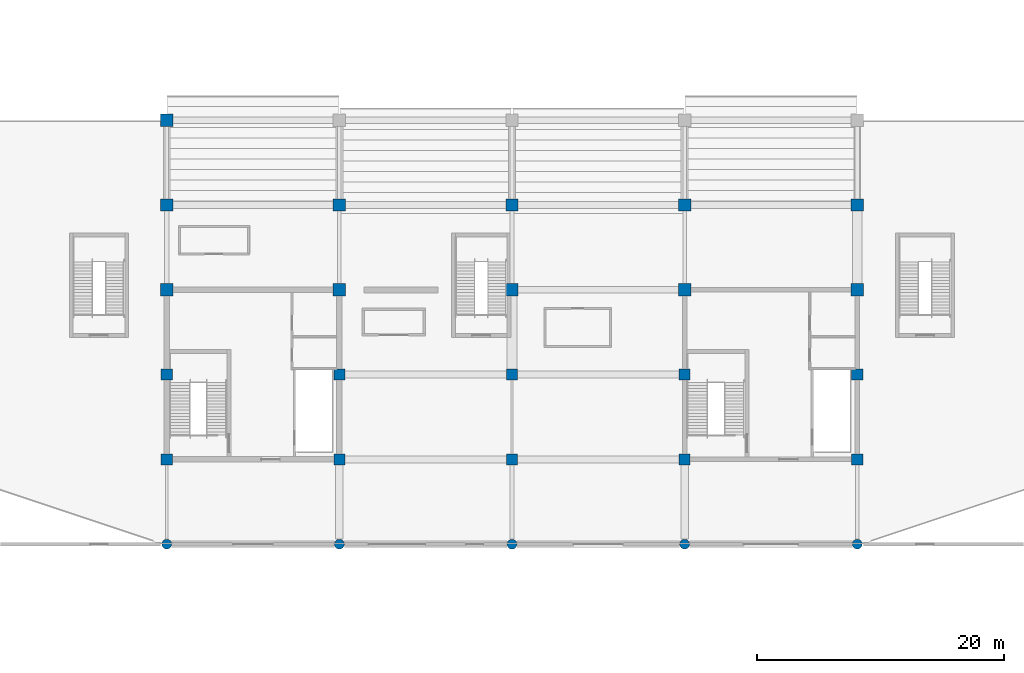
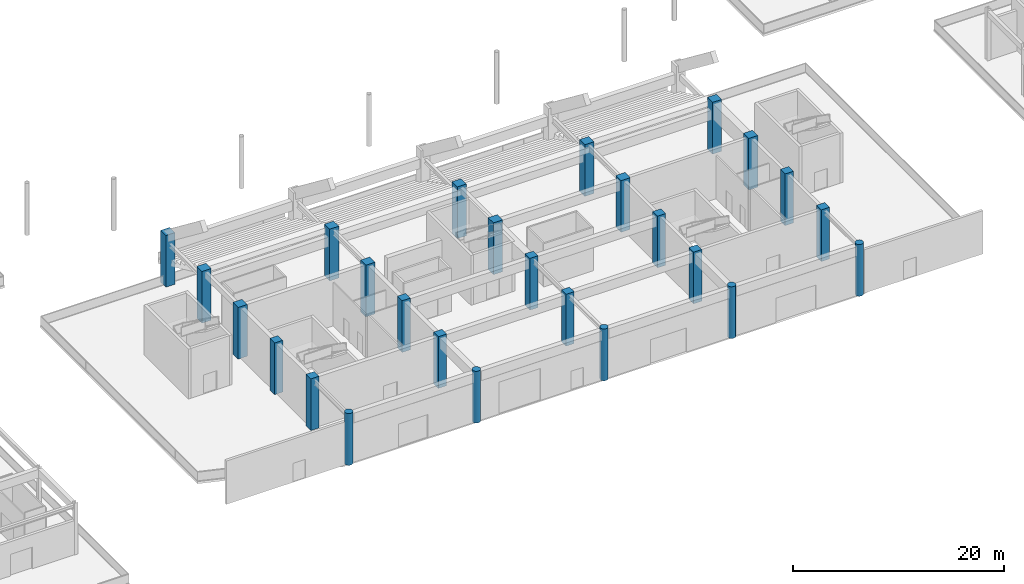
# One storey, part 4 of 73: 26 columns.
"""IFC4 building model written with IfcOpenShell, lengths in metres."""

from ifc_helpers import new_model, si_unit, direction, frame, origin, origin_2d, place, context, subcontext, project, spatial, rectangle, circle, extrude, material, material_profile, profile_set, type_object, element, save


model = new_model("IFC4")

# Units and contexts
model_context = context("Model", 3, precision=1e-05, world=origin(), true_north=direction((0.0, 1.0)))
body_context = subcontext(model_context, "Body", "Model", "MODEL_VIEW")
ifc_project = project(units=[si_unit("LENGTHUNIT", "METRE"), si_unit("AREAUNIT", "SQUARE_METRE"), si_unit("VOLUMEUNIT", "CUBIC_METRE"), si_unit("PLANEANGLEUNIT", "RADIAN"), si_unit("MASSUNIT", "GRAM", prefix="KILO")], contexts=[model_context])

# Site, building, storey
site_placement = place(None, origin())
site = spatial("IfcSite", under=ifc_project, at=site_placement, CompositionType="ELEMENT")
building_placement = place(site_placement, origin())
building = spatial("IfcBuilding", under=site, at=building_placement, Name="Linyun Crest Stadium", CompositionType="ELEMENT")
storey_placement = place(building_placement, origin())
storey = spatial("IfcBuildingStorey", under=building, at=storey_placement, Name="L01", CompositionType="ELEMENT", Elevation=0.0)

# Columns
ifc_material_1 = material(Name="Concrete C50", Category="concrete")
ifc_material_profile_1 = material_profile(ifc_material_1, rectangle(XDim=0.89990234375, YDim=0.89990234375, at=origin_2d()), Name="RC 900x900")
ifc_profile_set_1 = profile_set([ifc_material_profile_1], Name="Concrete C50")
column_type_1 = type_object("IfcColumnType", Name="C04", PredefinedType="COLUMN", material=ifc_profile_set_1)
for number, where, z_axis, x_axis, name in (
    (1, (-28.0, -87.25, 0.0), (0.0, 0.0, 1.0), (1.0, 0.0, 0.0), "Column C04 L01 678"),
    (2, (-28.0, -80.375, 0.0), (0.0, 0.0, 1.0), (1.0, 0.0, 0.0), "Column C04 L01 683"),
    (3, (-14.0, -87.25, 0.0), (0.0, 0.0, 1.0), (1.0, 0.0, 0.0), "Column C04 L01 702"),
    (4, (-14.0, -80.375, 0.0), (0.0, 0.0, 1.0), (1.0, 0.0, 0.0), "Column C04 L01 707"),
    (5, (0.0, -87.25, 0.0), (0.0, 0.0, 1.0), (1.0, 0.0, 0.0), "Column C04 L01 726"),
    (6, (0.0, -80.375, 0.0), (0.0, 0.0, 1.0), (1.0, 0.0, 0.0), "Column C04 L01 731"),
    (7, (14.0, -87.25, 0.0), (0.0, 0.0, 1.0), (1.0, 0.0, 0.0), "Column C04 L01 750"),
    (8, (14.0, -80.375, 0.0), (0.0, 0.0, 1.0), (1.0, 0.0, 0.0), "Column C04 L01 755"),
    (9, (28.0, -87.25, 0.0), (0.0, 0.0, 1.0), (1.0, 0.0, 0.0), "Column C04 L01 774"),
    (10, (28.0, -80.375, 0.0), (0.0, 0.0, 1.0), (1.0, 0.0, 0.0), "Column C04 L01 779"),
):
    element("IfcColumn", number, at=place(storey_placement, frame(where, z_axis=z_axis, x_axis=x_axis)), inside=storey, type_object=column_type_1, Name=name, PredefinedType="COLUMN", context=body_context, shape_type="SweptSolid", body=[
        extrude(rectangle(XDim=0.89990234375, YDim=0.89990234375, at=origin_2d()), origin(), (0.0, 0.0, 1.0), 5.998046875),
    ])
ifc_material_2 = material(Name="Concrete C50", Category="concrete")
ifc_material_profile_2 = material_profile(ifc_material_2, rectangle(XDim=1.0, YDim=1.0, at=origin_2d()), Name="RC 1000x1000")
ifc_profile_set_2 = profile_set([ifc_material_profile_2], Name="Concrete C50")
column_type_2 = type_object("IfcColumnType", Name="C05", PredefinedType="COLUMN", material=ifc_profile_set_2)
for number, where, z_axis, x_axis, name in (
    (11, (-28.0, -73.5, 0.0), (0.0, 0.0, 1.0), (1.0, 0.0, 0.0), "Column C05 L01 688"),
    (12, (-28.0, -66.625, 0.0), (0.0, 0.0, 1.0), (1.0, 0.0, 0.0), "Column C05 L01 693"),
):
    element("IfcColumn", number, at=place(storey_placement, frame(where, z_axis=z_axis, x_axis=x_axis)), inside=storey, type_object=column_type_2, Name=name, PredefinedType="COLUMN", context=body_context, shape_type="SweptSolid", body=[
        extrude(rectangle(XDim=1.0, YDim=1.0, at=origin_2d()), origin(), (0.0, 0.0, 1.0), 5.998046875),
    ])
column_placement = place(storey_placement, frame((-28.0, -59.75, 0.0), z_axis=(0.0, 0.0, 1.0), x_axis=(1.0, 0.0, 0.0)))
element("IfcColumn", 13, at=column_placement, inside=storey, type_object=column_type_2, Name="Column C05 L01 697", PredefinedType="COLUMN", context=body_context, shape_type="SweptSolid", body=[
    extrude(rectangle(XDim=1.0, YDim=1.0, at=origin_2d()), origin(), (0.0, 0.0, 1.0), 6.0),
])
for number, where, z_axis, x_axis, name in (
    (14, (-14.0, -73.5, 0.0), (0.0, 0.0, 1.0), (1.0, 0.0, 0.0), "Column C05 L01 712"),
    (15, (-14.0, -66.625, 0.0), (0.0, 0.0, 1.0), (1.0, 0.0, 0.0), "Column C05 L01 717"),
    (16, (0.0, -73.5, 0.0), (0.0, 0.0, 1.0), (1.0, 0.0, 0.0), "Column C05 L01 736"),
    (17, (0.0, -66.625, 0.0), (0.0, 0.0, 1.0), (1.0, 0.0, 0.0), "Column C05 L01 741"),
    (18, (14.0, -73.5, 0.0), (0.0, 0.0, 1.0), (1.0, 0.0, 0.0), "Column C05 L01 760"),
    (19, (14.0, -66.625, 0.0), (0.0, 0.0, 1.0), (1.0, 0.0, 0.0), "Column C05 L01 765"),
    (20, (28.0, -73.5, 0.0), (0.0, 0.0, 1.0), (1.0, 0.0, 0.0), "Column C05 L01 784"),
    (21, (28.0, -66.625, 0.0), (0.0, 0.0, 1.0), (1.0, 0.0, 0.0), "Column C05 L01 789"),
):
    element("IfcColumn", number, at=place(storey_placement, frame(where, z_axis=z_axis, x_axis=x_axis)), inside=storey, type_object=column_type_2, Name=name, PredefinedType="COLUMN", context=body_context, shape_type="SweptSolid", body=[
        extrude(rectangle(XDim=1.0, YDim=1.0, at=origin_2d()), origin(), (0.0, 0.0, 1.0), 5.998046875),
    ])
ifc_material_3 = material(Name="Concrete C50", Category="concrete")
ifc_material_profile_3 = material_profile(ifc_material_3, circle(Radius=0.39990234375, at=origin_2d()), Name="RC D800")
ifc_profile_set_3 = profile_set([ifc_material_profile_3], Name="Concrete C50")
column_type_3 = type_object("IfcColumnType", Name="C07", PredefinedType="COLUMN", material=ifc_profile_set_3)
for number, where, z_axis, x_axis, name in (
    (22, (-28.0, -94.125, 0.0), (0.0, 0.0, 1.0), (1.0, 0.0, 0.0), "Column C07 L01 675"),
    (23, (-14.0, -94.125, 0.0), (0.0, 0.0, 1.0), (1.0, 0.0, 0.0), "Column C07 L01 699"),
    (24, (0.0, -94.125, 0.0), (0.0, 0.0, 1.0), (1.0, 0.0, 0.0), "Column C07 L01 723"),
    (25, (14.0, -94.125, 0.0), (0.0, 0.0, 1.0), (1.0, 0.0, 0.0), "Column C07 L01 747"),
    (26, (28.0, -94.125, 0.0), (0.0, 0.0, 1.0), (1.0, 0.0, 0.0), "Column C07 L01 771"),
):
    element("IfcColumn", number, at=place(storey_placement, frame(where, z_axis=z_axis, x_axis=x_axis)), inside=storey, type_object=column_type_3, Name=name, PredefinedType="COLUMN", context=body_context, shape_type="SweptSolid", body=[
        extrude(circle(Radius=0.39990234375, at=origin_2d()), origin(), (0.0, 0.0, 1.0), 5.998046875),
    ])

save(model, "model.ifc")
